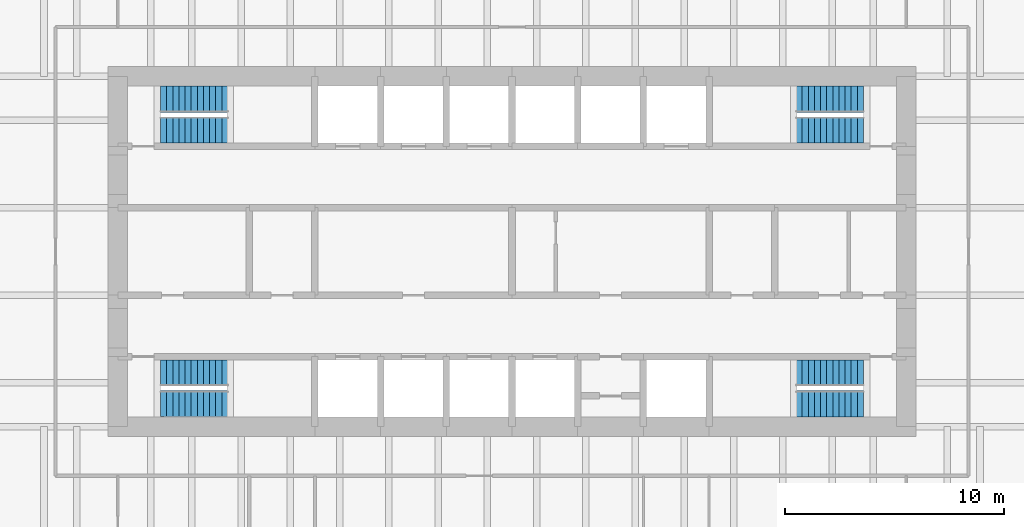
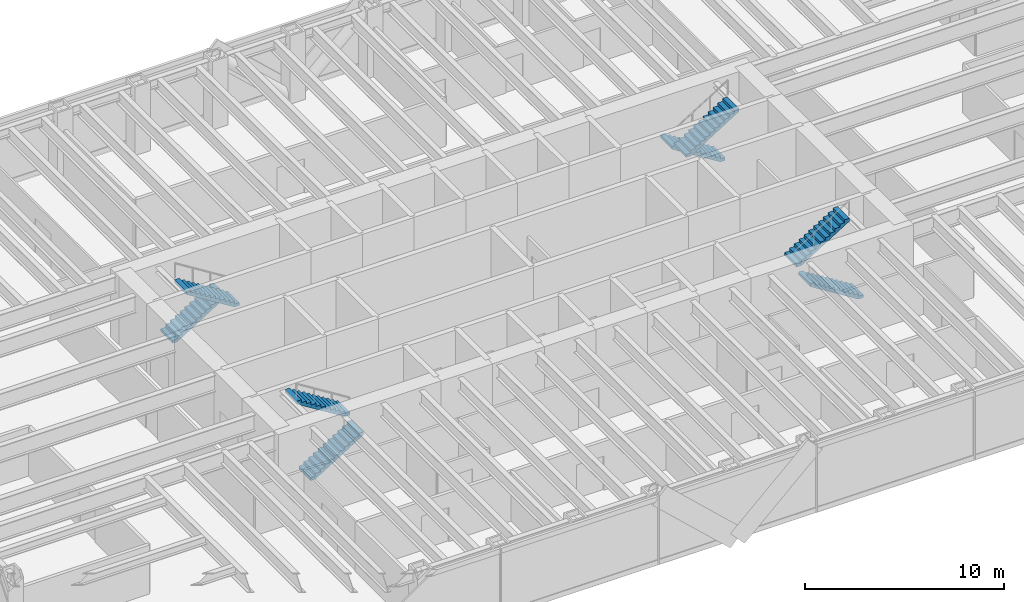
# One storey, part 14 of 15: 8 stair flights, 4 elements without a shape of their own.
"""IFC4 building model written with IfcOpenShell, lengths in metres."""

from ifc_helpers import new_model, si_unit, direction, frame, origin, place, context, subcontext, project, spatial, polyline, outline, extrude, material, type_object, element, aggregate, save


model = new_model("IFC4")

# Units and contexts
model_context = context("Model", 3, precision=1e-05, world=origin(), true_north=direction((0.0, 1.0)))
body_context = subcontext(model_context, "Body", "Model", "MODEL_VIEW")
ifc_project = project(units=[si_unit("LENGTHUNIT", "METRE"), si_unit("AREAUNIT", "SQUARE_METRE"), si_unit("VOLUMEUNIT", "CUBIC_METRE"), si_unit("PLANEANGLEUNIT", "RADIAN"), si_unit("MASSUNIT", "GRAM", prefix="KILO")], contexts=[model_context])

# Site, building, storey
site_placement = place(None, origin())
site = spatial("IfcSite", under=ifc_project, at=site_placement, CompositionType="ELEMENT")
building_placement = place(site_placement, origin())
building = spatial("IfcBuilding", under=site, at=building_placement, Name="Rheinbord Bourse Tower", CompositionType="ELEMENT")
storey_placement = place(building_placement, frame((0.0, 0.0, 155.10009765625)))
storey = spatial("IfcBuildingStorey", under=building, at=storey_placement, Name="L34", CompositionType="ELEMENT", Elevation=155.10009765625)

# Stair, stair flights
ifc_material_1 = material(Name="Concrete C30/37", Category="concrete")
stair_type = type_object("IfcStairType", Name="CORE STAIR HALF TURN 4200", PredefinedType="HALF_TURN_STAIR", material=ifc_material_1)
stair_1_placement = place(storey_placement, origin())
stair_1 = element("IfcStair", 1, at=stair_1_placement, inside=storey, type_object=stair_type, Name="Stair ST1 L34, type CS6", PredefinedType="HALF_TURN_STAIR")
ifc_material_2 = material(Name="Concrete C30/37", Category="concrete")
stair_flight_type = type_object("IfcStairFlightType", Name="CORE STAIR FLIGHT 1200, 12 RISERS", PredefinedType="STRAIGHT", material=ifc_material_2)
stair_flight_1_placement = place(storey_placement, frame((19.949951171875, 17.050048828125, 0.0), z_axis=(0.0, 0.0, 1.0), x_axis=(1.0, 0.0, 0.0)))
stair_flight_1 = element("IfcStairFlight", 2, at=stair_flight_1_placement, type_object=stair_flight_type, Name="STAIR L34 ST1 F1", NumberOfRisers=12, NumberOfTreads=11, PredefinedType="STRAIGHT", RiserHeight=0.175, TreadLength=0.28, context=body_context, shape_type="SweptSolid", body=[
    extrude(outline(polyline([(0.0, 0.0), (0.0, 0.175048828125), (0.280029296875, 0.175048828125), (0.280029296875, 0.35009765625), (0.56005859375, 0.35009765625), (0.56005859375, 0.52490234375), (0.840087890625, 0.52490234375), (0.840087890625, 0.699951171875), (1.1201171875, 0.699951171875), (1.1201171875, 0.875), (1.39990234375, 0.875), (1.39990234375, 1.050048828125), (1.679931640625, 1.050048828125), (1.679931640625, 1.22509765625), (1.9599609375, 1.22509765625), (1.9599609375, 1.39990234375), (2.239990234375, 1.39990234375), (2.239990234375, 1.574951171875), (2.52001953125, 1.574951171875), (2.52001953125, 1.75), (2.800048828125, 1.75), (2.800048828125, 1.925048828125), (3.080078125, 1.925048828125), (3.080078125, 2.10009765625), (3.080078125, 1.748291015625), (0.28271484375, 0.0), (0.0, 0.0)])), frame((0.0, 0.60009765625, 0.0), z_axis=(0.0, -1.0, 0.0), x_axis=(1.0, 0.0, 0.0)), (0.0, 0.0, 1.0), 1.199951171875),
])
stair_flight_2_placement = place(storey_placement, frame((23.030029296875, 18.449951171875, 2.099853515625), z_axis=(0.0, 0.0, 1.0), x_axis=(-1.0, 0.0, 0.0)))
stair_flight_2 = element("IfcStairFlight", 3, at=stair_flight_2_placement, type_object=stair_flight_type, Name="STAIR L34 ST1 F2", NumberOfRisers=12, NumberOfTreads=11, PredefinedType="STRAIGHT", RiserHeight=0.175, TreadLength=0.28, context=body_context, shape_type="SweptSolid", body=[
    extrude(outline(polyline([(0.0, 0.0), (0.0, 0.175048828125), (0.280029296875, 0.175048828125), (0.280029296875, 0.35009765625), (0.56005859375, 0.35009765625), (0.56005859375, 0.52490234375), (0.840087890625, 0.52490234375), (0.840087890625, 0.699951171875), (1.1201171875, 0.699951171875), (1.1201171875, 0.875), (1.39990234375, 0.875), (1.39990234375, 1.050048828125), (1.679931640625, 1.050048828125), (1.679931640625, 1.22509765625), (1.9599609375, 1.22509765625), (1.9599609375, 1.39990234375), (2.239990234375, 1.39990234375), (2.239990234375, 1.574951171875), (2.52001953125, 1.574951171875), (2.52001953125, 1.75), (2.800048828125, 1.75), (2.800048828125, 1.925048828125), (3.080078125, 1.925048828125), (3.080078125, 2.10009765625), (3.080078125, 1.748291015625), (0.28271484375, 0.0), (0.0, 0.0)])), frame((0.0, 0.60009765625, 0.0), z_axis=(0.0, -1.0, 0.0), x_axis=(1.0, 0.0, 0.0)), (0.0, 0.0, 1.0), 1.199951171875),
])
aggregate(stair_1, [stair_flight_1, stair_flight_2])

stair_2_placement = place(storey_placement, origin())
stair_2 = element("IfcStair", 4, at=stair_2_placement, inside=storey, type_object=stair_type, Name="Stair ST2 L34, type CS6", PredefinedType="HALF_TURN_STAIR")
stair_flight_3_placement = place(storey_placement, frame((19.949951171875, 30.949951171875, 0.0), z_axis=(0.0, 0.0, 1.0), x_axis=(1.0, 0.0, 0.0)))
stair_flight_3 = element("IfcStairFlight", 5, at=stair_flight_3_placement, type_object=stair_flight_type, Name="STAIR L34 ST2 F1", NumberOfRisers=12, NumberOfTreads=11, PredefinedType="STRAIGHT", RiserHeight=0.175, TreadLength=0.28, context=body_context, shape_type="SweptSolid", body=[
    extrude(outline(polyline([(0.0, 0.0), (0.0, 0.175048828125), (0.280029296875, 0.175048828125), (0.280029296875, 0.35009765625), (0.56005859375, 0.35009765625), (0.56005859375, 0.52490234375), (0.840087890625, 0.52490234375), (0.840087890625, 0.699951171875), (1.1201171875, 0.699951171875), (1.1201171875, 0.875), (1.39990234375, 0.875), (1.39990234375, 1.050048828125), (1.679931640625, 1.050048828125), (1.679931640625, 1.22509765625), (1.9599609375, 1.22509765625), (1.9599609375, 1.39990234375), (2.239990234375, 1.39990234375), (2.239990234375, 1.574951171875), (2.52001953125, 1.574951171875), (2.52001953125, 1.75), (2.800048828125, 1.75), (2.800048828125, 1.925048828125), (3.080078125, 1.925048828125), (3.080078125, 2.10009765625), (3.080078125, 1.748291015625), (0.28271484375, 0.0), (0.0, 0.0)])), frame((0.0, 0.60009765625, 0.0), z_axis=(0.0, -1.0, 0.0), x_axis=(1.0, 0.0, 0.0)), (0.0, 0.0, 1.0), 1.199951171875),
])
stair_flight_4_placement = place(storey_placement, frame((23.030029296875, 29.550048828125, 2.099853515625), z_axis=(0.0, 0.0, 1.0), x_axis=(-1.0, 0.0, 0.0)))
stair_flight_4 = element("IfcStairFlight", 6, at=stair_flight_4_placement, type_object=stair_flight_type, Name="STAIR L34 ST2 F2", NumberOfRisers=12, NumberOfTreads=11, PredefinedType="STRAIGHT", RiserHeight=0.175, TreadLength=0.28, context=body_context, shape_type="SweptSolid", body=[
    extrude(outline(polyline([(0.0, 0.0), (0.0, 0.175048828125), (0.280029296875, 0.175048828125), (0.280029296875, 0.35009765625), (0.56005859375, 0.35009765625), (0.56005859375, 0.52490234375), (0.840087890625, 0.52490234375), (0.840087890625, 0.699951171875), (1.1201171875, 0.699951171875), (1.1201171875, 0.875), (1.39990234375, 0.875), (1.39990234375, 1.050048828125), (1.679931640625, 1.050048828125), (1.679931640625, 1.22509765625), (1.9599609375, 1.22509765625), (1.9599609375, 1.39990234375), (2.239990234375, 1.39990234375), (2.239990234375, 1.574951171875), (2.52001953125, 1.574951171875), (2.52001953125, 1.75), (2.800048828125, 1.75), (2.800048828125, 1.925048828125), (3.080078125, 1.925048828125), (3.080078125, 2.10009765625), (3.080078125, 1.748291015625), (0.28271484375, 0.0), (0.0, 0.0)])), frame((0.0, 0.60009765625, 0.0), z_axis=(0.0, -1.0, 0.0), x_axis=(1.0, 0.0, 0.0)), (0.0, 0.0, 1.0), 1.199951171875),
])
aggregate(stair_2, [stair_flight_3, stair_flight_4])

stair_3_placement = place(storey_placement, origin())
stair_3 = element("IfcStair", 7, at=stair_3_placement, inside=storey, type_object=stair_type, Name="Stair ST3 L34, type CS6", PredefinedType="HALF_TURN_STAIR")
stair_flight_5_placement = place(storey_placement, frame((52.050048828125, 17.050048828125, 0.0), z_axis=(0.0, 0.0, 1.0), x_axis=(-1.0, 0.0, 0.0)))
stair_flight_5 = element("IfcStairFlight", 8, at=stair_flight_5_placement, type_object=stair_flight_type, Name="STAIR L34 ST3 F1", NumberOfRisers=12, NumberOfTreads=11, PredefinedType="STRAIGHT", RiserHeight=0.175, TreadLength=0.28, context=body_context, shape_type="SweptSolid", body=[
    extrude(outline(polyline([(0.0, 0.0), (0.0, 0.175048828125), (0.280029296875, 0.175048828125), (0.280029296875, 0.35009765625), (0.56005859375, 0.35009765625), (0.56005859375, 0.52490234375), (0.840087890625, 0.52490234375), (0.840087890625, 0.699951171875), (1.1201171875, 0.699951171875), (1.1201171875, 0.875), (1.39990234375, 0.875), (1.39990234375, 1.050048828125), (1.679931640625, 1.050048828125), (1.679931640625, 1.22509765625), (1.9599609375, 1.22509765625), (1.9599609375, 1.39990234375), (2.239990234375, 1.39990234375), (2.239990234375, 1.574951171875), (2.52001953125, 1.574951171875), (2.52001953125, 1.75), (2.800048828125, 1.75), (2.800048828125, 1.925048828125), (3.080078125, 1.925048828125), (3.080078125, 2.10009765625), (3.080078125, 1.748291015625), (0.28271484375, 0.0), (0.0, 0.0)])), frame((0.0, 0.60009765625, 0.0), z_axis=(0.0, -1.0, 0.0), x_axis=(1.0, 0.0, 0.0)), (0.0, 0.0, 1.0), 1.199951171875),
])
stair_flight_6_placement = place(storey_placement, frame((48.969970703125, 18.449951171875, 2.099853515625), z_axis=(0.0, 0.0, 1.0), x_axis=(1.0, 0.0, 0.0)))
stair_flight_6 = element("IfcStairFlight", 9, at=stair_flight_6_placement, type_object=stair_flight_type, Name="STAIR L34 ST3 F2", NumberOfRisers=12, NumberOfTreads=11, PredefinedType="STRAIGHT", RiserHeight=0.175, TreadLength=0.28, context=body_context, shape_type="SweptSolid", body=[
    extrude(outline(polyline([(0.0, 0.0), (0.0, 0.175048828125), (0.280029296875, 0.175048828125), (0.280029296875, 0.35009765625), (0.56005859375, 0.35009765625), (0.56005859375, 0.52490234375), (0.840087890625, 0.52490234375), (0.840087890625, 0.699951171875), (1.1201171875, 0.699951171875), (1.1201171875, 0.875), (1.39990234375, 0.875), (1.39990234375, 1.050048828125), (1.679931640625, 1.050048828125), (1.679931640625, 1.22509765625), (1.9599609375, 1.22509765625), (1.9599609375, 1.39990234375), (2.239990234375, 1.39990234375), (2.239990234375, 1.574951171875), (2.52001953125, 1.574951171875), (2.52001953125, 1.75), (2.800048828125, 1.75), (2.800048828125, 1.925048828125), (3.080078125, 1.925048828125), (3.080078125, 2.10009765625), (3.080078125, 1.748291015625), (0.28271484375, 0.0), (0.0, 0.0)])), frame((0.0, 0.60009765625, 0.0), z_axis=(0.0, -1.0, 0.0), x_axis=(1.0, 0.0, 0.0)), (0.0, 0.0, 1.0), 1.199951171875),
])
aggregate(stair_3, [stair_flight_5, stair_flight_6])

stair_4_placement = place(storey_placement, origin())
stair_4 = element("IfcStair", 10, at=stair_4_placement, inside=storey, type_object=stair_type, Name="Stair ST4 L34, type CS6", PredefinedType="HALF_TURN_STAIR")
stair_flight_7_placement = place(storey_placement, frame((52.050048828125, 30.949951171875, 0.0), z_axis=(0.0, 0.0, 1.0), x_axis=(-1.0, 0.0, 0.0)))
stair_flight_7 = element("IfcStairFlight", 11, at=stair_flight_7_placement, type_object=stair_flight_type, Name="STAIR L34 ST4 F1", NumberOfRisers=12, NumberOfTreads=11, PredefinedType="STRAIGHT", RiserHeight=0.175, TreadLength=0.28, context=body_context, shape_type="SweptSolid", body=[
    extrude(outline(polyline([(0.0, 0.0), (0.0, 0.175048828125), (0.280029296875, 0.175048828125), (0.280029296875, 0.35009765625), (0.56005859375, 0.35009765625), (0.56005859375, 0.52490234375), (0.840087890625, 0.52490234375), (0.840087890625, 0.699951171875), (1.1201171875, 0.699951171875), (1.1201171875, 0.875), (1.39990234375, 0.875), (1.39990234375, 1.050048828125), (1.679931640625, 1.050048828125), (1.679931640625, 1.22509765625), (1.9599609375, 1.22509765625), (1.9599609375, 1.39990234375), (2.239990234375, 1.39990234375), (2.239990234375, 1.574951171875), (2.52001953125, 1.574951171875), (2.52001953125, 1.75), (2.800048828125, 1.75), (2.800048828125, 1.925048828125), (3.080078125, 1.925048828125), (3.080078125, 2.10009765625), (3.080078125, 1.748291015625), (0.28271484375, 0.0), (0.0, 0.0)])), frame((0.0, 0.60009765625, 0.0), z_axis=(0.0, -1.0, 0.0), x_axis=(1.0, 0.0, 0.0)), (0.0, 0.0, 1.0), 1.199951171875),
])
stair_flight_8_placement = place(storey_placement, frame((48.969970703125, 29.550048828125, 2.099853515625), z_axis=(0.0, 0.0, 1.0), x_axis=(1.0, 0.0, 0.0)))
stair_flight_8 = element("IfcStairFlight", 12, at=stair_flight_8_placement, type_object=stair_flight_type, Name="STAIR L34 ST4 F2", NumberOfRisers=12, NumberOfTreads=11, PredefinedType="STRAIGHT", RiserHeight=0.175, TreadLength=0.28, context=body_context, shape_type="SweptSolid", body=[
    extrude(outline(polyline([(0.0, 0.0), (0.0, 0.175048828125), (0.280029296875, 0.175048828125), (0.280029296875, 0.35009765625), (0.56005859375, 0.35009765625), (0.56005859375, 0.52490234375), (0.840087890625, 0.52490234375), (0.840087890625, 0.699951171875), (1.1201171875, 0.699951171875), (1.1201171875, 0.875), (1.39990234375, 0.875), (1.39990234375, 1.050048828125), (1.679931640625, 1.050048828125), (1.679931640625, 1.22509765625), (1.9599609375, 1.22509765625), (1.9599609375, 1.39990234375), (2.239990234375, 1.39990234375), (2.239990234375, 1.574951171875), (2.52001953125, 1.574951171875), (2.52001953125, 1.75), (2.800048828125, 1.75), (2.800048828125, 1.925048828125), (3.080078125, 1.925048828125), (3.080078125, 2.10009765625), (3.080078125, 1.748291015625), (0.28271484375, 0.0), (0.0, 0.0)])), frame((0.0, 0.60009765625, 0.0), z_axis=(0.0, -1.0, 0.0), x_axis=(1.0, 0.0, 0.0)), (0.0, 0.0, 1.0), 1.199951171875),
])
aggregate(stair_4, [stair_flight_7, stair_flight_8])

save(model, "model.ifc")
